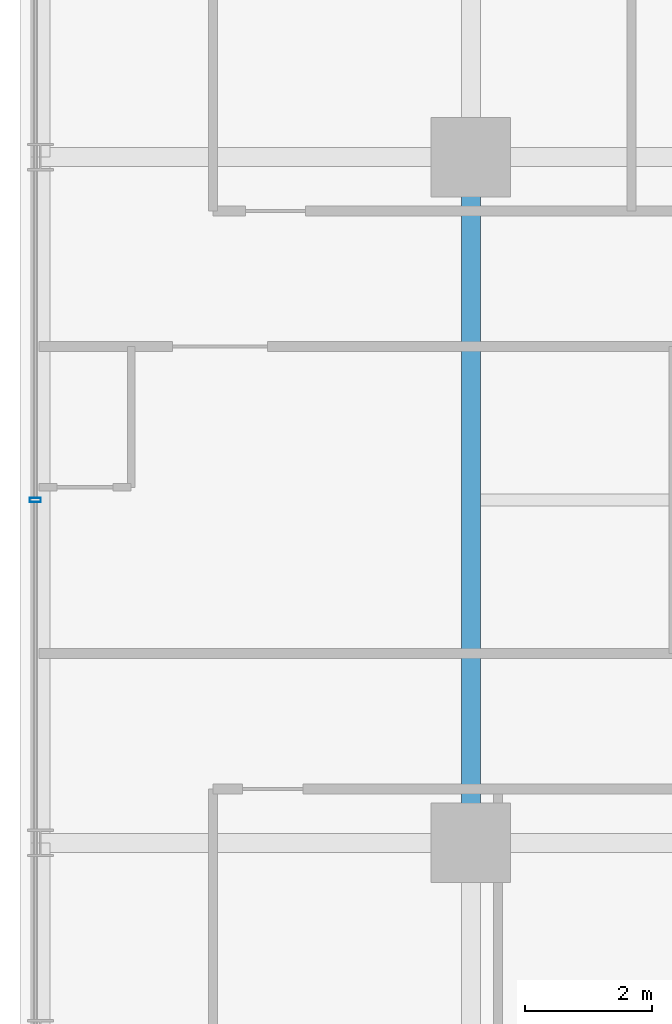
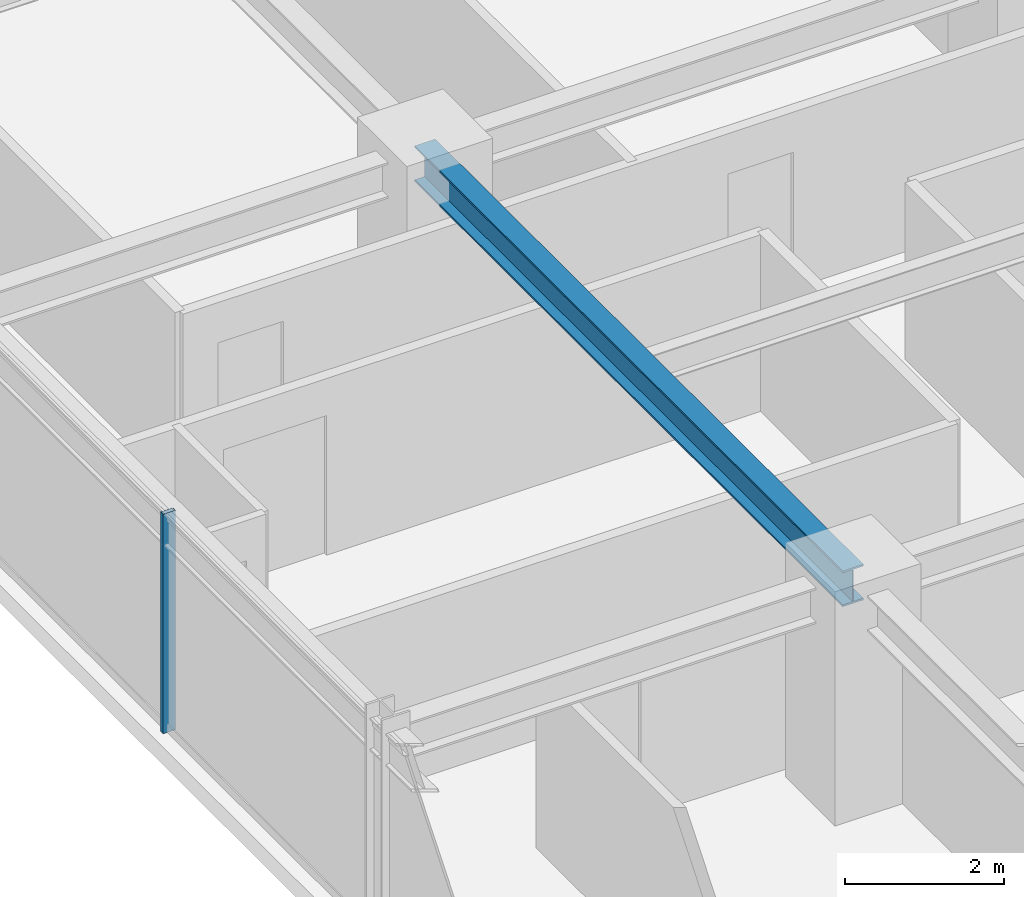
# One storey, part 9 of 33: 1 beam, 1 member, 1 element without a shape of its own.
"""IFC4 building model written with IfcOpenShell, lengths in metres."""

from ifc_helpers import new_model, si_unit, direction, frame, origin, origin_2d, place, context, subcontext, project, spatial, hollow_rectangle, i_section, extrude, source, transform, mapped, material, material_profile, profile_set, type_object, element, aggregate, save


model = new_model("IFC4")

# Units and contexts
model_context = context("Model", 3, precision=1e-05, world=origin(), true_north=direction((0.0, 1.0)))
body_context = subcontext(model_context, "Body", "Model", "MODEL_VIEW")
ifc_project = project(units=[si_unit("LENGTHUNIT", "METRE"), si_unit("AREAUNIT", "SQUARE_METRE"), si_unit("VOLUMEUNIT", "CUBIC_METRE"), si_unit("PLANEANGLEUNIT", "RADIAN"), si_unit("MASSUNIT", "GRAM", prefix="KILO")], contexts=[model_context])

# Site, building, storey
site_placement = place(None, origin())
site = spatial("IfcSite", under=ifc_project, at=site_placement, CompositionType="ELEMENT")
building_placement = place(site_placement, origin())
building = spatial("IfcBuilding", under=site, at=building_placement, Name="Nahalor Promenade Grand Hotel", CompositionType="ELEMENT")
storey_placement = place(building_placement, frame((0.0, 0.0, 117.5)))
storey = spatial("IfcBuildingStorey", under=building, at=storey_placement, Name="L29", CompositionType="ELEMENT", Elevation=117.5)

# Beam
ifc_material_1 = material(Name="Steel S355JR", Category="steel")
ifc_material_profile_1 = material_profile(ifc_material_1, i_section(OverallWidth=0.3, OverallDepth=0.55, WebThickness=0.015, FlangeThickness=0.029, at=origin_2d()), Name="HEB 550")
ifc_profile_set_1 = profile_set([ifc_material_profile_1], Name="Steel S355JR")
beam_type = type_object("IfcBeamType", Name="Beam-Girder-HEB550", PredefinedType="BEAM", material=ifc_profile_set_1)
shared_shape_1 = source(origin(), body_context, "Body", "SweptSolid", [
    extrude(i_section(OverallWidth=0.3, OverallDepth=0.55, WebThickness=0.015, FlangeThickness=0.029, at=origin_2d()), origin(), (0.0, 0.0, 1.0), 10.7998046875),
])
beam_placement = place(storey_placement, frame((-17.0, -5.39990234375, 3.10498046875), z_axis=(0.0, 1.0, 0.0), x_axis=(-1.0, 0.0, 0.0)))
element("IfcBeam", 1, at=beam_placement, inside=storey, type_object=beam_type, Name="BM-L29-GY-0-2", PredefinedType="BEAM", context=body_context, shape_type="MappedRepresentation", body=[
    mapped(shared_shape_1, transform((0.0, 0.0, 0.0), scale=1.0)),
])

# Curtain wall, member
ifc_material_2 = material(Name="Anodised Bronze Aluminium EN AW-6063 T6", Category="aluminium")
curtain_wall_type = type_object("IfcCurtainWallType", Name="CW2 Typical Hotel Flush Bronze Unitised Curtain Wall", PredefinedType="USERDEFINED", material=ifc_material_2)
curtain_wall_placement = place(storey_placement, origin())
curtain_wall = element("IfcCurtainWall", 2, at=curtain_wall_placement, inside=storey, type_object=curtain_wall_type, Name="L29 Curtain Wall CW-L29-W-1", ObjectType="UNITISED_CURTAIN_WALL", PredefinedType="USERDEFINED")
ifc_material_profile_2 = material_profile(ifc_material_2, hollow_rectangle(XDim=0.065, YDim=0.18, WallThickness=0.004, at=origin_2d()), Name="CWM 65x180x4")
ifc_profile_set_2 = profile_set([ifc_material_profile_2], Name="Anodised Bronze Aluminium EN AW-6063 T6")
member_type = type_object("IfcMemberType", Name="CWM2 Typical Bronze Mullion 65x180", PredefinedType="MULLION", material=ifc_profile_set_2)
shared_shape_2 = source(origin(), body_context, "Body", "SweptSolid", [
    extrude(hollow_rectangle(XDim=0.065, YDim=0.18, WallThickness=0.004, at=origin_2d()), origin(), (0.0, 0.0, 1.0), 3.3798828125),
])
member_placement = place(storey_placement, frame((-23.860107421875, 0.0, 0.0), z_axis=(0.0, 0.0, 1.0), x_axis=(0.0, 1.0, 0.0)))
member = element("IfcMember", 3, at=member_placement, type_object=member_type, Name="CW-L29-W-1 Mullion 2", PredefinedType="MULLION", context=body_context, shape_type="MappedRepresentation", body=[
    mapped(shared_shape_2, transform((0.0, 0.0, 0.0), scale=1.0)),
])
aggregate(curtain_wall, [member])

save(model, "model.ifc")
